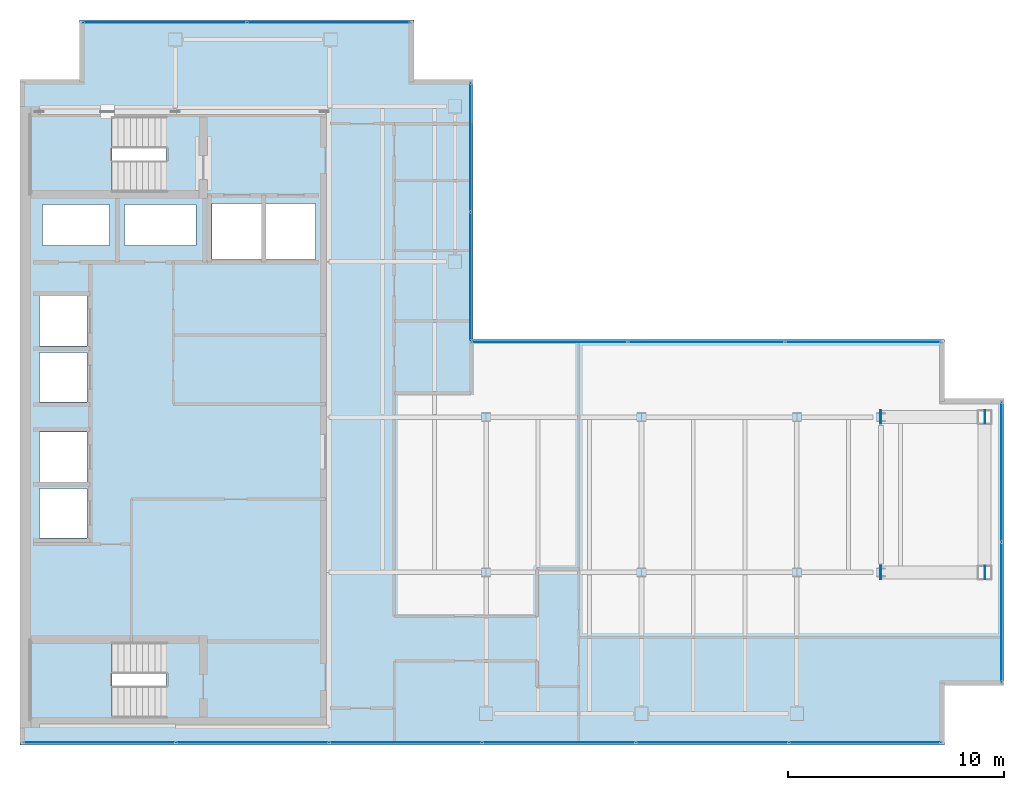
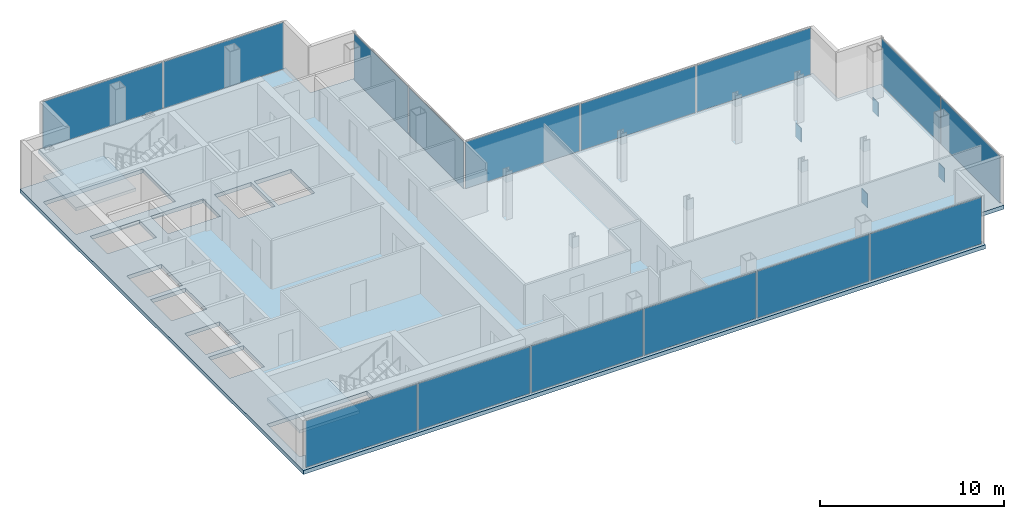
# One storey, part 20 of 24: 19 plates, 3 slabs, 10 openings, 7 elements without a shape of their own.
"""IFC4 building model written with IfcOpenShell, lengths in metres."""

from ifc_helpers import new_model, si_unit, direction, frame, origin, origin_2d, place, context, subcontext, project, spatial, polyline, rectangle, outline, extrude, material, layer, layer_set, type_object, element, aggregate, save


model = new_model("IFC4")

# Units and contexts
model_context = context("Model", 3, precision=1e-05, world=origin(), true_north=direction((0.0, 1.0)))
body_context = subcontext(model_context, "Body", "Model", "MODEL_VIEW")
ifc_project = project(units=[si_unit("LENGTHUNIT", "METRE"), si_unit("AREAUNIT", "SQUARE_METRE"), si_unit("VOLUMEUNIT", "CUBIC_METRE"), si_unit("PLANEANGLEUNIT", "RADIAN"), si_unit("MASSUNIT", "GRAM", prefix="KILO")], contexts=[model_context])

# Site, building, storey
site_placement = place(None, origin())
site = spatial("IfcSite", under=ifc_project, at=site_placement, CompositionType="ELEMENT")
building_placement = place(site_placement, origin())
building = spatial("IfcBuilding", under=site, at=building_placement, Name="Cobrela Telecom Tower", CompositionType="ELEMENT")
storey_placement = place(building_placement, frame((0.0, 0.0, 241.14990234375)))
storey = spatial("IfcBuildingStorey", under=building, at=storey_placement, Name="L62", CompositionType="ELEMENT", Elevation=241.14990234375)

# Curtain wall, plates
ifc_material_1 = material(Name="Anodized Bronze Aluminium 6063-T6", Category="aluminium")
curtain_wall_type = type_object("IfcCurtainWallType", Name="CW-SYS-OFF-HI", PredefinedType="USERDEFINED", material=ifc_material_1)
curtain_wall_1_placement = place(storey_placement, origin())
curtain_wall_1 = element("IfcCurtainWall", 1, at=curtain_wall_1_placement, inside=storey, type_object=curtain_wall_type, Name="L62 Unitised Bronze Curtain Wall 05", ObjectType="UNITISED CURTAIN WALL", PredefinedType="USERDEFINED")
ifc_material_2 = material(Name="Solar-Control Bronze Low-E Glass", Category="glass")
ifc_layer_1 = layer(ifc_material_2, 0.030029296875)
ifc_layer_set_1 = layer_set([ifc_layer_1], Name="Solar-Control Bronze Low-E Glass")
plate_type_1 = type_object("IfcPlateType", Name="CW-SYS-OFF-HI-PNL", PredefinedType="CURTAIN_PANEL", material=ifc_layer_set_1)
plate_1_placement = place(storey_placement, frame((6.702392578125, 39.8798828125, 0.06494140625), z_axis=(0.0, 0.0, 1.0), x_axis=(1.0, 0.0, 0.0)))
plate_1 = element("IfcPlate", 2, at=plate_1_placement, type_object=plate_type_1, Name="CW-OFF-HI panel 1.1", PredefinedType="CURTAIN_PANEL", context=body_context, shape_type="SweptSolid", body=[
    extrude(rectangle(XDim=7.52490234375, YDim=0.030029296875, at=origin_2d()), origin(), (0.0, 0.0, 1.0), 3.110107421875),
])
plate_2_placement = place(storey_placement, frame((14.297607421875, 39.8798828125, 0.06494140625), z_axis=(0.0, 0.0, 1.0), x_axis=(1.0, 0.0, 0.0)))
plate_2 = element("IfcPlate", 3, at=plate_2_placement, type_object=plate_type_1, Name="CW-OFF-HI panel 2.1", PredefinedType="CURTAIN_PANEL", context=body_context, shape_type="SweptSolid", body=[
    extrude(rectangle(XDim=7.52490234375, YDim=0.030029296875, at=origin_2d()), origin(), (0.0, 0.0, 1.0), 3.110107421875),
])
aggregate(curtain_wall_1, [plate_1, plate_2])

curtain_wall_2_placement = place(storey_placement, origin())
curtain_wall_2 = element("IfcCurtainWall", 4, at=curtain_wall_2_placement, inside=storey, type_object=curtain_wall_type, Name="L62 Unitised Bronze Curtain Wall 08", ObjectType="UNITISED CURTAIN WALL", PredefinedType="USERDEFINED")
plate_3_placement = place(storey_placement, frame((20.8798828125, 34.10009765625, 0.06494140625), z_axis=(0.0, 0.0, 1.0), x_axis=(0.0, -1.0, 0.0)))
plate_3 = element("IfcPlate", 5, at=plate_3_placement, type_object=plate_type_1, Name="CW-OFF-HI panel 1.1", PredefinedType="CURTAIN_PANEL", context=body_context, shape_type="SweptSolid", body=[
    extrude(rectangle(XDim=5.919921875, YDim=0.030029296875, at=origin_2d()), origin(), (0.0, 0.0, 1.0), 3.110107421875),
])
plate_4_placement = place(storey_placement, frame((20.8798828125, 28.110107421875, 0.06494140625), z_axis=(0.0, 0.0, 1.0), x_axis=(0.0, -1.0, 0.0)))
plate_4 = element("IfcPlate", 6, at=plate_4_placement, type_object=plate_type_1, Name="CW-OFF-HI panel 2.1", PredefinedType="CURTAIN_PANEL", context=body_context, shape_type="SweptSolid", body=[
    extrude(rectangle(XDim=5.919921875, YDim=0.030029296875, at=origin_2d()), origin(), (0.0, 0.0, 1.0), 3.110107421875),
])
aggregate(curtain_wall_2, [plate_3, plate_4])

curtain_wall_3_placement = place(storey_placement, origin())
curtain_wall_3 = element("IfcCurtainWall", 7, at=curtain_wall_3_placement, inside=storey, type_object=curtain_wall_type, Name="L62 Unitised Bronze Curtain Wall 09", ObjectType="UNITISED CURTAIN WALL", PredefinedType="USERDEFINED")
plate_5_placement = place(storey_placement, frame((24.5390625, 25.080078125, 0.06494140625), z_axis=(0.0, 0.0, 1.0), x_axis=(1.0, 0.0, 0.0)))
plate_5 = element("IfcPlate", 8, at=plate_5_placement, type_object=plate_type_1, Name="CW-OFF-HI panel 1.1", PredefinedType="CURTAIN_PANEL", context=body_context, shape_type="SweptSolid", body=[
    extrude(rectangle(XDim=7.17822265625, YDim=0.030029296875, at=origin_2d()), origin(), (0.0, 0.0, 1.0), 3.110107421875),
])
plate_6_placement = place(storey_placement, frame((31.804931640625, 25.080078125, 0.06494140625), z_axis=(0.0, 0.0, 1.0), x_axis=(1.0, 0.0, 0.0)))
plate_6 = element("IfcPlate", 9, at=plate_6_placement, type_object=plate_type_1, Name="CW-OFF-HI panel 2.1", PredefinedType="CURTAIN_PANEL", context=body_context, shape_type="SweptSolid", body=[
    extrude(rectangle(XDim=7.21337890625, YDim=0.030029296875, at=origin_2d()), origin(), (0.0, 0.0, 1.0), 3.110107421875),
])
plate_7_placement = place(storey_placement, frame((39.07080078125, 25.080078125, 0.06494140625), z_axis=(0.0, 0.0, 1.0), x_axis=(1.0, 0.0, 0.0)))
plate_7 = element("IfcPlate", 10, at=plate_7_placement, type_object=plate_type_1, Name="CW-OFF-HI panel 3.1", PredefinedType="CURTAIN_PANEL", context=body_context, shape_type="SweptSolid", body=[
    extrude(rectangle(XDim=7.17822265625, YDim=0.030029296875, at=origin_2d()), origin(), (0.0, 0.0, 1.0), 3.110107421875),
])
aggregate(curtain_wall_3, [plate_5, plate_6, plate_7])

curtain_wall_4_placement = place(storey_placement, origin())
curtain_wall_4 = element("IfcCurtainWall", 11, at=curtain_wall_4_placement, inside=storey, type_object=curtain_wall_type, Name="L62 Unitised Bronze Curtain Wall 12", ObjectType="UNITISED CURTAIN WALL", PredefinedType="USERDEFINED")
plate_8_placement = place(storey_placement, frame((45.47998046875, 19.047607421875, 0.06494140625), z_axis=(0.0, 0.0, 1.0), x_axis=(0.0, -1.0, 0.0)))
plate_8 = element("IfcPlate", 12, at=plate_8_placement, type_object=plate_type_1, Name="CW-OFF-HI panel 1.1", PredefinedType="CURTAIN_PANEL", context=body_context, shape_type="SweptSolid", body=[
    extrude(rectangle(XDim=6.425048828125, YDim=0.030029296875, at=origin_2d()), origin(), (0.0, 0.0, 1.0), 3.110107421875),
])
plate_9_placement = place(storey_placement, frame((45.47998046875, 12.552490234375, 0.06494140625), z_axis=(0.0, 0.0, 1.0), x_axis=(0.0, -1.0, 0.0)))
plate_9 = element("IfcPlate", 13, at=plate_9_placement, type_object=plate_type_1, Name="CW-OFF-HI panel 2.1", PredefinedType="CURTAIN_PANEL", context=body_context, shape_type="SweptSolid", body=[
    extrude(rectangle(XDim=6.425048828125, YDim=0.030029296875, at=origin_2d()), origin(), (0.0, 0.0, 1.0), 3.110107421875),
])
aggregate(curtain_wall_4, [plate_8, plate_9])

curtain_wall_5_placement = place(storey_placement, origin())
curtain_wall_5 = element("IfcCurtainWall", 14, at=curtain_wall_5_placement, inside=storey, type_object=curtain_wall_type, Name="L62 Unitised Bronze Curtain Wall 15", ObjectType="UNITISED CURTAIN WALL", PredefinedType="USERDEFINED")
plate_10_placement = place(storey_placement, frame((39.16162109375, 6.52001953125, 0.06494140625), z_axis=(0.0, 0.0, 1.0), x_axis=(-1.0, 0.0, 0.0)))
plate_10 = element("IfcPlate", 15, at=plate_10_placement, type_object=plate_type_1, Name="CW-OFF-HI panel 1.1", PredefinedType="CURTAIN_PANEL", context=body_context, shape_type="SweptSolid", body=[
    extrude(rectangle(XDim=6.99658203125, YDim=0.030029296875, at=origin_2d()), origin(), (0.0, 0.0, 1.0), 3.110107421875),
])
plate_11_placement = place(storey_placement, frame((32.077392578125, 6.52001953125, 0.06494140625), z_axis=(0.0, 0.0, 1.0), x_axis=(-1.0, 0.0, 0.0)))
plate_11 = element("IfcPlate", 16, at=plate_11_placement, type_object=plate_type_1, Name="CW-OFF-HI panel 2.1", PredefinedType="CURTAIN_PANEL", context=body_context, shape_type="SweptSolid", body=[
    extrude(rectangle(XDim=7.03173828125, YDim=0.030029296875, at=origin_2d()), origin(), (0.0, 0.0, 1.0), 3.110107421875),
])
plate_12_placement = place(storey_placement, frame((24.975830078125, 6.52001953125, 0.06494140625), z_axis=(0.0, 0.0, 1.0), x_axis=(-1.0, 0.0, 0.0)))
plate_12 = element("IfcPlate", 17, at=plate_12_placement, type_object=plate_type_1, Name="CW-OFF-HI panel 3.1", PredefinedType="CURTAIN_PANEL", context=body_context, shape_type="SweptSolid", body=[
    extrude(rectangle(XDim=7.03173828125, YDim=0.030029296875, at=origin_2d()), origin(), (0.0, 0.0, 1.0), 3.110107421875),
])
plate_13_placement = place(storey_placement, frame((17.874267578125, 6.52001953125, 0.06494140625), z_axis=(0.0, 0.0, 1.0), x_axis=(-1.0, 0.0, 0.0)))
plate_13 = element("IfcPlate", 18, at=plate_13_placement, type_object=plate_type_1, Name="CW-OFF-HI panel 4.1", PredefinedType="CURTAIN_PANEL", context=body_context, shape_type="SweptSolid", body=[
    extrude(rectangle(XDim=7.03173828125, YDim=0.030029296875, at=origin_2d()), origin(), (0.0, 0.0, 1.0), 3.110107421875),
])
plate_14_placement = place(storey_placement, frame((10.7724609375, 6.52001953125, 0.06494140625), z_axis=(0.0, 0.0, 1.0), x_axis=(-1.0, 0.0, 0.0)))
plate_14 = element("IfcPlate", 19, at=plate_14_placement, type_object=plate_type_1, Name="CW-OFF-HI panel 5.1", PredefinedType="CURTAIN_PANEL", context=body_context, shape_type="SweptSolid", body=[
    extrude(rectangle(XDim=7.03173828125, YDim=0.030029296875, at=origin_2d()), origin(), (0.0, 0.0, 1.0), 3.110107421875),
])
plate_15_placement = place(storey_placement, frame((3.688232421875, 6.52001953125, 0.06494140625), z_axis=(0.0, 0.0, 1.0), x_axis=(-1.0, 0.0, 0.0)))
plate_15 = element("IfcPlate", 20, at=plate_15_placement, type_object=plate_type_1, Name="CW-OFF-HI panel 6.1", PredefinedType="CURTAIN_PANEL", context=body_context, shape_type="SweptSolid", body=[
    extrude(rectangle(XDim=6.99658203125, YDim=0.030029296875, at=origin_2d()), origin(), (0.0, 0.0, 1.0), 3.110107421875),
])
aggregate(curtain_wall_5, [plate_10, plate_11, plate_12, plate_13, plate_14, plate_15])

# Plates
ifc_material_3 = material(Name="Steel ASTM A572 Grade 50", Category="steel")
ifc_layer_2 = layer(ifc_material_3, 0.048095703125)
ifc_layer_set_2 = layer_set([ifc_layer_2], Name="Steel ASTM A572 Grade 50")
plate_type_2 = type_object("IfcPlateType", Name="PLT-NODE-ND4", PredefinedType="USERDEFINED", material=ifc_layer_set_2)
for number, where, z_axis, x_axis, name in (
    (21, (39.8798828125, 14.39990234375, -1.179931640625), (0.0, 0.0, 1.0), (1.0, 0.0, 0.0), "Steel node plate PLT-BM-L62-CANT-1-C0"),
    (22, (44.719970703125, 14.39990234375, -1.179931640625), (0.0, 0.0, 1.0), (1.0, 0.0, 0.0), "Steel node plate PLT-BM-L62-CANT-1-C1"),
    (23, (39.8798828125, 21.60009765625, -1.179931640625), (0.0, 0.0, 1.0), (1.0, 0.0, 0.0), "Steel node plate PLT-BM-L62-CANT-2-C0"),
    (24, (44.719970703125, 21.60009765625, -1.179931640625), (0.0, 0.0, 1.0), (1.0, 0.0, 0.0), "Steel node plate PLT-BM-L62-CANT-2-C1"),
):
    element("IfcPlate", number, at=place(storey_placement, frame(where, z_axis=z_axis, x_axis=x_axis)), inside=storey, type_object=plate_type_2, Name=name, ObjectType="GUSSET PLATE", PredefinedType="USERDEFINED", context=body_context, shape_type="SweptSolid", body=[
        extrude(rectangle(XDim=0.044921875, YDim=0.639892578125, at=origin_2d()), origin(), (0.0, 0.0, 1.0), 0.93994140625),
    ])

# Slab, openings
ifc_material_4 = material(Name="Concrete C40/50", Category="concrete")
ifc_layer_3 = layer(ifc_material_4, 0.260009765625)
ifc_layer_set_3 = layer_set([ifc_layer_3], Name="Concrete C40/50")
slab_type_1 = type_object("IfcSlabType", Name="SLAB-FLR-260", PredefinedType="FLOOR", material=ifc_layer_set_3)
slab_1_placement = place(storey_placement, frame((0.0, 0.0, -0.260009765625)))
slab_1 = element("IfcSlab", 25, at=slab_1_placement, inside=storey, type_object=slab_type_1, Name="L62 Structural Floor Slab", PredefinedType="FLOOR", context=body_context, shape_type="SweptSolid", body=[
    extrude(outline(polyline([(0.0, 6.39990234375), (42.85009765625, 6.39990234375), (42.85009765625, 9.14990234375), (45.60009765625, 9.14990234375), (45.60009765625, 22.449951171875), (42.85009765625, 22.449951171875), (42.85009765625, 25.199951171875), (21.0, 25.199951171875), (21.0, 37.25), (18.25, 37.25), (18.25, 40.0), (2.75, 40.0), (2.75, 37.25), (0.0, 37.25), (0.0, 6.39990234375)])), origin(), (0.0, 0.0, 1.0), 0.260009765625),
])
opening_1_placement = place(slab_1_placement, frame((0.0, 0.0, -0.02001953125)))
element("IfcOpeningElement", 26, at=opening_1_placement, cuts=slab_1, Name="Slab Shaft Opening SLAB-L62-MAIN.1", PredefinedType="OPENING", context=body_context, shape_type="SweptSolid", body=[
    extrude(outline(polyline([(8.89990234375, 28.89990234375), (11.199951171875, 28.89990234375), (11.199951171875, 31.5), (8.89990234375, 31.5), (8.89990234375, 28.89990234375)])), origin(), (0.0, 0.0, 1.0), 0.300048828125),
])
opening_2_placement = place(slab_1_placement, frame((0.0, 0.0, -0.02001953125)))
element("IfcOpeningElement", 27, at=opening_2_placement, cuts=slab_1, Name="Slab Shaft Opening SLAB-L62-MAIN.2", PredefinedType="OPENING", context=body_context, shape_type="SweptSolid", body=[
    extrude(outline(polyline([(11.39990234375, 28.89990234375), (13.699951171875, 28.89990234375), (13.699951171875, 31.5), (11.39990234375, 31.5), (11.39990234375, 28.89990234375)])), origin(), (0.0, 0.0, 1.0), 0.300048828125),
])
opening_3_placement = place(slab_1_placement, frame((0.0, 0.0, -0.02001953125)))
element("IfcOpeningElement", 28, at=opening_3_placement, cuts=slab_1, Name="Slab Shaft Opening SLAB-L62-MAIN.3", PredefinedType="OPENING", context=body_context, shape_type="SweptSolid", body=[
    extrude(outline(polyline([(0.89990234375, 16.0), (3.10009765625, 16.0), (3.10009765625, 18.300048828125), (0.89990234375, 18.300048828125), (0.89990234375, 16.0)])), origin(), (0.0, 0.0, 1.0), 0.300048828125),
])
opening_4_placement = place(slab_1_placement, frame((0.0, 0.0, -0.02001953125)))
element("IfcOpeningElement", 29, at=opening_4_placement, cuts=slab_1, Name="Slab Shaft Opening SLAB-L62-MAIN.4", PredefinedType="OPENING", context=body_context, shape_type="SweptSolid", body=[
    extrude(outline(polyline([(0.89990234375, 18.60009765625), (3.10009765625, 18.60009765625), (3.10009765625, 20.89990234375), (0.89990234375, 20.89990234375), (0.89990234375, 18.60009765625)])), origin(), (0.0, 0.0, 1.0), 0.300048828125),
])
opening_5_placement = place(slab_1_placement, frame((0.0, 0.0, -0.02001953125)))
element("IfcOpeningElement", 30, at=opening_5_placement, cuts=slab_1, Name="Slab Shaft Opening SLAB-L62-MAIN.5", PredefinedType="OPENING", context=body_context, shape_type="SweptSolid", body=[
    extrude(outline(polyline([(0.89990234375, 22.300048828125), (3.10009765625, 22.300048828125), (3.10009765625, 24.60009765625), (0.89990234375, 24.60009765625), (0.89990234375, 22.300048828125)])), origin(), (0.0, 0.0, 1.0), 0.300048828125),
])
opening_6_placement = place(slab_1_placement, frame((0.0, 0.0, -0.02001953125)))
element("IfcOpeningElement", 31, at=opening_6_placement, cuts=slab_1, Name="Slab Shaft Opening SLAB-L62-MAIN.6", PredefinedType="OPENING", context=body_context, shape_type="SweptSolid", body=[
    extrude(outline(polyline([(0.89990234375, 24.89990234375), (3.10009765625, 24.89990234375), (3.10009765625, 27.199951171875), (0.89990234375, 27.199951171875), (0.89990234375, 24.89990234375)])), origin(), (0.0, 0.0, 1.0), 0.300048828125),
])
opening_7_placement = place(slab_1_placement, frame((0.0, 0.0, -0.02001953125)))
element("IfcOpeningElement", 32, at=opening_7_placement, cuts=slab_1, Name="Slab Shaft Opening SLAB-L62-MAIN.7", PredefinedType="OPENING", context=body_context, shape_type="SweptSolid", body=[
    extrude(outline(polyline([(1.050048828125, 29.550048828125), (4.14990234375, 29.550048828125), (4.14990234375, 31.449951171875), (1.050048828125, 31.449951171875), (1.050048828125, 29.550048828125)])), origin(), (0.0, 0.0, 1.0), 0.300048828125),
])
opening_8_placement = place(slab_1_placement, frame((0.0, 0.0, -0.02001953125)))
element("IfcOpeningElement", 33, at=opening_8_placement, cuts=slab_1, Name="Slab Shaft Opening SLAB-L62-MAIN.8", PredefinedType="OPENING", context=body_context, shape_type="SweptSolid", body=[
    extrude(outline(polyline([(4.85009765625, 29.550048828125), (8.14990234375, 29.550048828125), (8.14990234375, 31.449951171875), (4.85009765625, 31.449951171875), (4.85009765625, 29.550048828125)])), origin(), (0.0, 0.0, 1.0), 0.300048828125),
])
opening_9_placement = place(slab_1_placement, frame((0.0, 0.0, -0.02001953125)))
element("IfcOpeningElement", 34, at=opening_9_placement, cuts=slab_1, Name="Slab Shaft Opening SLAB-L62-MAIN.9", PredefinedType="OPENING", context=body_context, shape_type="SweptSolid", body=[
    extrude(outline(polyline([(6.7548828125, 35.550048828125), (0.47998046875, 35.550048828125), (0.47998046875, 32.0), (6.7548828125, 32.0), (6.7548828125, 35.550048828125)])), origin(), (0.0, 0.0, 1.0), 0.300048828125),
])
opening_10_placement = place(slab_1_placement, frame((0.0, 0.0, -0.02001953125)))
element("IfcOpeningElement", 35, at=opening_10_placement, cuts=slab_1, Name="Slab Shaft Opening SLAB-L62-MAIN.10", PredefinedType="OPENING", context=body_context, shape_type="SweptSolid", body=[
    extrude(outline(polyline([(6.7548828125, 11.199951171875), (0.47998046875, 11.199951171875), (0.47998046875, 7.64990234375), (6.7548828125, 7.64990234375), (6.7548828125, 11.199951171875)])), origin(), (0.0, 0.0, 1.0), 0.300048828125),
])

# Stair, slab
stair_type = type_object("IfcStairType", Name="STAIR-CORE", PredefinedType="HALF_TURN_STAIR", material=ifc_material_4)
stair_1_placement = place(storey_placement, origin())
stair_1 = element("IfcStair", 36, at=stair_1_placement, inside=storey, type_object=stair_type, Name="L62 Smokeproof Exit Stair ST1", PredefinedType="HALF_TURN_STAIR")
ifc_layer_4 = layer(ifc_material_4, 0.199951171875)
ifc_layer_set_4 = layer_set([ifc_layer_4], Name="Concrete C40/50")
slab_type_2 = type_object("IfcSlabType", Name="SLAB-LAND-200", PredefinedType="LANDING", material=ifc_layer_set_4)
slab_2_placement = place(storey_placement, frame((0.0, 0.0, 1.550048828125)))
slab_2 = element("IfcSlab", 37, at=slab_2_placement, type_object=slab_type_2, Name="ST1 landing 1", PredefinedType="LANDING", context=body_context, shape_type="SweptSolid", body=[
    extrude(outline(polyline([(4.2548828125, 35.550048828125), (0.47998046875, 35.550048828125), (0.47998046875, 32.0), (4.2548828125, 32.0), (4.2548828125, 35.550048828125)])), origin(), (0.0, 0.0, 1.0), 0.199951171875),
])
aggregate(stair_1, [slab_2])

stair_2_placement = place(storey_placement, origin())
stair_2 = element("IfcStair", 38, at=stair_2_placement, inside=storey, type_object=stair_type, Name="L62 Smokeproof Exit Stair ST2", PredefinedType="HALF_TURN_STAIR")
slab_3_placement = place(storey_placement, frame((0.0, 0.0, 1.550048828125)))
slab_3 = element("IfcSlab", 39, at=slab_3_placement, type_object=slab_type_2, Name="ST2 landing 1", PredefinedType="LANDING", context=body_context, shape_type="SweptSolid", body=[
    extrude(outline(polyline([(4.2548828125, 11.199951171875), (0.47998046875, 11.199951171875), (0.47998046875, 7.64990234375), (4.2548828125, 7.64990234375), (4.2548828125, 11.199951171875)])), origin(), (0.0, 0.0, 1.0), 0.199951171875),
])
aggregate(stair_2, [slab_3])

save(model, "model.ifc")
